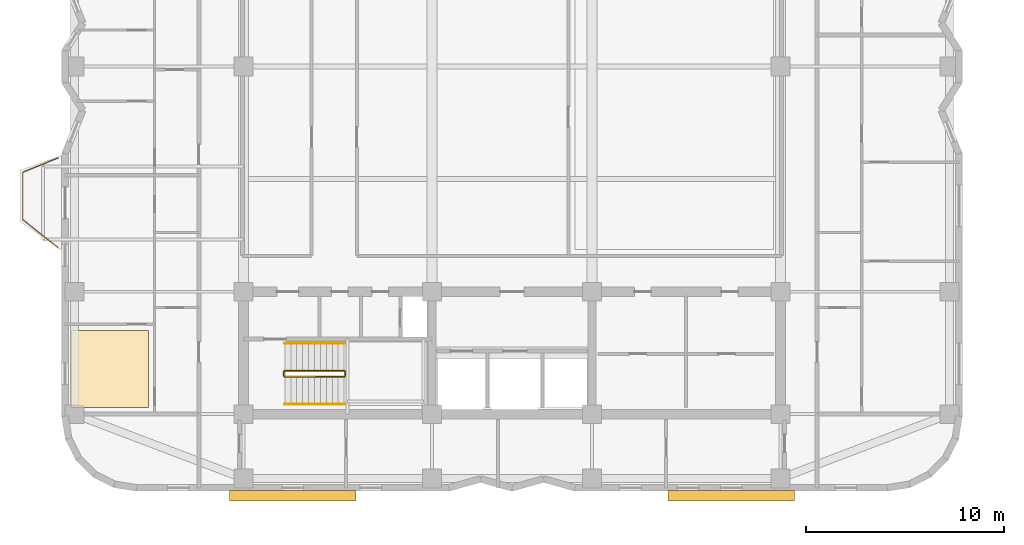
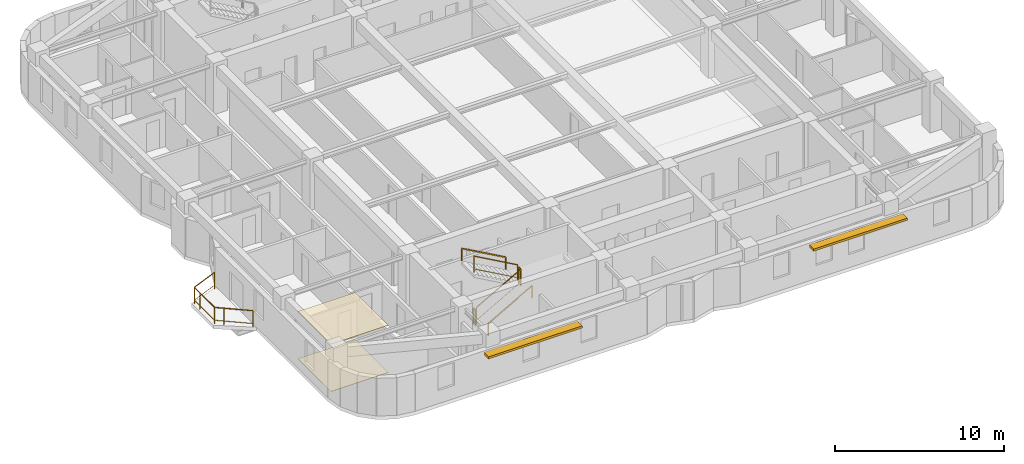
# One storey, part 8 of 9: 7 railings, 2 coverings, 2 shading devices.
"""IFC4 building model written with IfcOpenShell, lengths in metres."""

from ifc_helpers import new_model, si_unit, direction, frame, origin, origin_2d, place, context, subcontext, project, spatial, polyline, rectangle, outline, extrude, material, layer, layer_set, type_object, element, save


model = new_model("IFC4")

# Units and contexts
model_context = context("Model", 3, precision=1e-05, world=origin(), true_north=direction((0.0, 1.0)))
body_context = subcontext(model_context, "Body", "Model", "MODEL_VIEW")
ifc_project = project(units=[si_unit("LENGTHUNIT", "METRE"), si_unit("AREAUNIT", "SQUARE_METRE"), si_unit("VOLUMEUNIT", "CUBIC_METRE"), si_unit("PLANEANGLEUNIT", "RADIAN"), si_unit("MASSUNIT", "GRAM", prefix="KILO")], contexts=[model_context])

# Site, building, storey
site_placement = place(None, origin())
site = spatial("IfcSite", under=ifc_project, at=site_placement, CompositionType="ELEMENT")
building_placement = place(site_placement, origin())
building = spatial("IfcBuilding", under=site, at=building_placement, Name="Svetorya Sky Lyceum", CompositionType="ELEMENT")
storey_placement = place(building_placement, frame((0.0, 0.0, 155.199951171875)))
storey = spatial("IfcBuildingStorey", under=building, at=storey_placement, Name="L38", CompositionType="ELEMENT", Elevation=155.199951171875)

# Coverings
ifc_material_1 = material(Name="Fire-retardant birch acoustic slat ceiling")
ifc_layer_1 = layer(ifc_material_1, 0.031982421875)
ifc_layer_set_1 = layer_set([ifc_layer_1], Name="Fire-retardant birch acoustic slat ceiling")
covering_type_1 = type_object("IfcCoveringType", Name="COV-CLG-WD32", PredefinedType="CEILING", material=ifc_layer_set_1)
covering_1_placement = place(storey_placement, frame((0.0, 0.0, 3.407958984375)))
element("IfcCovering", 1, at=covering_1_placement, inside=storey, type_object=covering_type_1, Name="Apartment W1 Living Room Acoustic Ceiling", PredefinedType="CEILING", context=body_context, shape_type="SweptSolid", body=[
    extrude(outline(polyline([(16.8701171875, 10.929931640625), (20.7900390625, 10.929931640625), (20.7900390625, 14.840087890625), (16.8701171875, 14.840087890625), (16.8701171875, 10.929931640625)])), origin(), (0.0, 0.0, 1.0), 0.031982421875),
])
ifc_material_2 = material(Name="Vitrified porcelain slip-resistant tile flooring")
ifc_layer_2 = layer(ifc_material_2, 0.02587890625)
ifc_layer_set_2 = layer_set([ifc_layer_2], Name="Vitrified porcelain slip-resistant tile flooring")
covering_type_2 = type_object("IfcCoveringType", Name="COV-FLR-POR26", PredefinedType="FLOORING", material=ifc_layer_set_2)
covering_2_placement = place(storey_placement, origin())
element("IfcCovering", 2, at=covering_2_placement, inside=storey, type_object=covering_type_2, Name="Apartment W1 Living Room Architectural Flooring", PredefinedType="FLOORING", context=body_context, shape_type="SweptSolid", body=[
    extrude(outline(polyline([(16.8701171875, 10.929931640625), (20.7900390625, 10.929931640625), (20.7900390625, 14.840087890625), (16.8701171875, 14.840087890625), (16.8701171875, 10.929931640625)])), origin(), (0.0, 0.0, 1.0), 0.026123046875),
])

# Railings
ifc_material_3 = material(Name="Laminated safety glass and stainless AISI 316", Category="glass")
railing_type_1 = type_object("IfcRailingType", Name="RL-BAL-1200", PredefinedType="BALUSTRADE", material=ifc_material_3)
railing_1_placement = place(storey_placement, frame((16.22998046875, 19.02001953125, 0.0)))
element("IfcRailing", 3, at=railing_1_placement, inside=storey, type_object=railing_type_1, Name="L38 Balcony Balustrade BAL-W1", PredefinedType="BALUSTRADE", context=body_context, shape_type="SweptSolid", body=[
    extrude(rectangle(XDim=0.048095703125, YDim=0.048095703125, at=origin_2d()), frame((0.0, 0.0, 1.17578125), z_axis=(-0.783008919264, 0.622010476079, 0.0), x_axis=(-0.622010476079, -0.783008919264, 0.0)), (0.0, 0.0, 1.0), 2.298828125),
    extrude(rectangle(XDim=0.02392578125, YDim=0.02392578125, at=origin_2d()), frame((0.0, 0.0, 0.25), z_axis=(-0.783008919264, 0.622010476079, 0.0), x_axis=(-0.622010476079, -0.783008919264, 0.0)), (0.0, 0.0, 1.0), 2.298828125),
    extrude(rectangle(XDim=0.048095703125, YDim=0.048095703125, at=origin_2d()), frame((-1.800048828125, 1.429931640625, 1.17578125), z_axis=(0.0, 1.0, 0.0), x_axis=(-1.0, 0.0, 0.0)), (0.0, 0.0, 1.0), 2.400146484375),
    extrude(rectangle(XDim=0.02392578125, YDim=0.02392578125, at=origin_2d()), frame((-1.800048828125, 1.429931640625, 0.25), z_axis=(0.0, 1.0, 0.0), x_axis=(-1.0, 0.0, 0.0)), (0.0, 0.0, 1.0), 2.400146484375),
    extrude(rectangle(XDim=0.048095703125, YDim=0.048095703125, at=origin_2d()), frame((-1.800048828125, 3.830078125, 1.17578125), z_axis=(0.926697865975, 0.375807218129, 0.0), x_axis=(-0.375807218129, 0.926697865975, 0.0)), (0.0, 0.0, 1.0), 1.9423828125),
    extrude(rectangle(XDim=0.02392578125, YDim=0.02392578125, at=origin_2d()), frame((-1.800048828125, 3.830078125, 0.25), z_axis=(0.926697865975, 0.375807218129, 0.0), x_axis=(-0.375807218129, 0.926697865975, 0.0)), (0.0, 0.0, 1.0), 1.9423828125),
    extrude(rectangle(XDim=0.0419921875, YDim=0.0419921875, at=origin_2d()), origin(), (0.0, 0.0, 1.0), 1.15185546875),
    extrude(rectangle(XDim=0.0419921875, YDim=0.0419921875, at=origin_2d()), frame((-1.370361328125, 1.088623046875, 0.0)), (0.0, 0.0, 1.0), 1.15185546875),
    extrude(rectangle(XDim=0.0419921875, YDim=0.0419921875, at=origin_2d()), frame((-1.800048828125, 1.429931640625, 0.0)), (0.0, 0.0, 1.0), 1.15185546875),
    extrude(rectangle(XDim=0.0419921875, YDim=0.0419921875, at=origin_2d()), frame((-1.800048828125, 3.179931640625, 0.0)), (0.0, 0.0, 1.0), 1.15185546875),
    extrude(rectangle(XDim=0.0419921875, YDim=0.0419921875, at=origin_2d()), frame((-1.800048828125, 3.830078125, 0.0)), (0.0, 0.0, 1.0), 1.15185546875),
    extrude(rectangle(XDim=0.0419921875, YDim=0.0419921875, at=origin_2d()), frame((0.0, 4.56005859375, 0.0)), (0.0, 0.0, 1.0), 1.15185546875),
])
ifc_material_4 = material(Name="Painted galvanized stair well guard")
railing_type_2 = type_object("IfcRailingType", Name="RL-STR-GUARD-1200", PredefinedType="GUARDRAIL", material=ifc_material_4)
railing_2_placement = place(storey_placement, frame((27.699951171875, 12.5, 0.168212890625)))
element("IfcRailing", 4, at=railing_2_placement, inside=storey, type_object=railing_type_2, Name="L38 ST-S stair guard 1", PredefinedType="GUARDRAIL", context=body_context, shape_type="SweptSolid", body=[
    extrude(rectangle(XDim=0.048095703125, YDim=0.048095703125, at=origin_2d()), frame((0.0, 0.0, 1.17578125), z_axis=(0.872272294576, 0.0, 0.489020494575), x_axis=(0.0, 1.0, 0.0)), (0.0, 0.0, 1.0), 3.439208984375),
    extrude(rectangle(XDim=0.02392578125, YDim=0.02392578125, at=origin_2d()), frame((0.0, 0.0, 0.25), z_axis=(0.872272294576, 0.0, 0.489020494575), x_axis=(0.0, 1.0, 0.0)), (0.0, 0.0, 1.0), 3.439208984375),
    extrude(rectangle(XDim=0.0419921875, YDim=0.0419921875, at=origin_2d()), origin(), (0.0, 0.0, 1.0), 1.15185546875),
    extrude(rectangle(XDim=0.0419921875, YDim=0.0419921875, at=origin_2d()), frame((3.0, 0.0, 1.681884765625)), (0.0, 0.0, 1.0), 1.15185546875),
])
railing_3_placement = place(storey_placement, frame((30.75, 12.550048828125, 1.85009765625)))
element("IfcRailing", 5, at=railing_3_placement, inside=storey, type_object=railing_type_2, Name="L38 ST-S stair guard 2", PredefinedType="GUARDRAIL", context=body_context, shape_type="SweptSolid", body=[
    extrude(rectangle(XDim=0.048095703125, YDim=0.048095703125, at=origin_2d()), frame((0.0, 0.0, 1.17578125), z_axis=(0.0, 1.0, 0.0), x_axis=(-1.0, 0.0, 0.0)), (0.0, 0.0, 1.0), 0.199951171875),
    extrude(rectangle(XDim=0.02392578125, YDim=0.02392578125, at=origin_2d()), frame((0.0, 0.0, 0.25), z_axis=(0.0, 1.0, 0.0), x_axis=(-1.0, 0.0, 0.0)), (0.0, 0.0, 1.0), 0.199951171875),
    extrude(rectangle(XDim=0.0419921875, YDim=0.0419921875, at=origin_2d()), origin(), (0.0, 0.0, 1.0), 1.15185546875),
    extrude(rectangle(XDim=0.0419921875, YDim=0.0419921875, at=origin_2d()), frame((0.0, 0.199951171875, 0.0)), (0.0, 0.0, 1.0), 1.15185546875),
])
railing_4_placement = place(storey_placement, frame((30.699951171875, 12.800048828125, 2.018310546875)))
element("IfcRailing", 6, at=railing_4_placement, inside=storey, type_object=railing_type_2, Name="L38 ST-S stair guard 3", PredefinedType="GUARDRAIL", context=body_context, shape_type="SweptSolid", body=[
    extrude(rectangle(XDim=0.048095703125, YDim=0.048095703125, at=origin_2d()), frame((0.0, 0.0, 1.17578125), z_axis=(-0.872302573547, 0.0, 0.488966481656), x_axis=(0.0, -1.0, 0.0)), (0.0, 0.0, 1.0), 3.439208984375),
    extrude(rectangle(XDim=0.02392578125, YDim=0.02392578125, at=origin_2d()), frame((0.0, 0.0, 0.25), z_axis=(-0.872302573547, 0.0, 0.488966481656), x_axis=(0.0, -1.0, 0.0)), (0.0, 0.0, 1.0), 3.439208984375),
    extrude(rectangle(XDim=0.0419921875, YDim=0.0419921875, at=origin_2d()), origin(), (0.0, 0.0, 1.0), 1.15185546875),
    extrude(rectangle(XDim=0.0419921875, YDim=0.0419921875, at=origin_2d()), frame((-3.0, 0.0, 1.681640625)), (0.0, 0.0, 1.0), 1.15185546875),
])
railing_5_placement = place(storey_placement, frame((27.64990234375, 12.550048828125, 0.0)))
element("IfcRailing", 7, at=railing_5_placement, inside=storey, type_object=railing_type_2, Name="L38 ST-S stair guard 4", PredefinedType="GUARDRAIL", context=body_context, shape_type="SweptSolid", body=[
    extrude(rectangle(XDim=0.048095703125, YDim=0.048095703125, at=origin_2d()), frame((0.0, 0.0, 1.17578125), z_axis=(0.0, 1.0, 0.0), x_axis=(-1.0, 0.0, 0.0)), (0.0, 0.0, 1.0), 0.199951171875),
    extrude(rectangle(XDim=0.02392578125, YDim=0.02392578125, at=origin_2d()), frame((0.0, 0.0, 0.25), z_axis=(0.0, 1.0, 0.0), x_axis=(-1.0, 0.0, 0.0)), (0.0, 0.0, 1.0), 0.199951171875),
    extrude(rectangle(XDim=0.0419921875, YDim=0.0419921875, at=origin_2d()), origin(), (0.0, 0.0, 1.0), 1.15185546875),
    extrude(rectangle(XDim=0.0419921875, YDim=0.0419921875, at=origin_2d()), frame((0.0, 0.199951171875, 0.0)), (0.0, 0.0, 1.0), 1.15185546875),
])
ifc_material_5 = material(Name="Brushed stainless AISI 304 stair handrail")
railing_type_3 = type_object("IfcRailingType", Name="RL-STR-HAND-920", PredefinedType="HANDRAIL", material=ifc_material_5)
railing_6_placement = place(storey_placement, frame((27.699951171875, 11.10009765625, 0.168212890625)))
element("IfcRailing", 8, at=railing_6_placement, inside=storey, type_object=railing_type_3, Name="L38 ST-S stair handrail 1", PredefinedType="HANDRAIL", context=body_context, shape_type="SweptSolid", body=[
    extrude(rectangle(XDim=0.048095703125, YDim=0.048095703125, at=origin_2d()), frame((0.0, 0.0, 0.8759765625), z_axis=(0.872272294576, 0.0, 0.489020494575), x_axis=(0.0, 1.0, 0.0)), (0.0, 0.0, 1.0), 3.439208984375),
    extrude(rectangle(XDim=0.0419921875, YDim=0.0419921875, at=origin_2d()), origin(), (0.0, 0.0, 1.0), 0.851806640625),
    extrude(rectangle(XDim=0.0419921875, YDim=0.0419921875, at=origin_2d()), frame((3.0, 0.0, 1.681884765625)), (0.0, 0.0, 1.0), 0.851806640625),
])
railing_7_placement = place(storey_placement, frame((30.699951171875, 14.199951171875, 2.018310546875)))
element("IfcRailing", 9, at=railing_7_placement, inside=storey, type_object=railing_type_3, Name="L38 ST-S stair handrail 2", PredefinedType="HANDRAIL", context=body_context, shape_type="SweptSolid", body=[
    extrude(rectangle(XDim=0.048095703125, YDim=0.048095703125, at=origin_2d()), frame((0.0, 0.0, 0.8759765625), z_axis=(-0.872302573547, 0.0, 0.488966481656), x_axis=(0.0, -1.0, 0.0)), (0.0, 0.0, 1.0), 3.439208984375),
    extrude(rectangle(XDim=0.0419921875, YDim=0.0419921875, at=origin_2d()), origin(), (0.0, 0.0, 1.0), 0.851806640625),
    extrude(rectangle(XDim=0.0419921875, YDim=0.0419921875, at=origin_2d()), frame((-3.0, 0.0, 1.681640625)), (0.0, 0.0, 1.0), 0.851806640625),
])

# Shading devices
ifc_material_6 = material(Name="Champagne-anodized extruded aluminium sunshade", Category="aluminium")
ifc_layer_3 = layer(ifc_material_6, 0.159912109375)
ifc_layer_set_3 = layer_set([ifc_layer_3], Name="Champagne-anodized extruded aluminium sunshade")
shading_device_type = type_object("IfcShadingDeviceType", Name="SHD-LVR-540", PredefinedType="AWNING", material=ifc_layer_set_3)
for number, where, z_axis, x_axis, name in (
    (10, (28.10009765625, 6.47998046875, 2.419921875), (0.0, 0.0, 1.0), (1.0, 0.0, 0.0), "L38 Solar Brise-Soleil SHD-1.6M"),
    (11, (50.300048828125, 6.47998046875, 2.419921875), (0.0, 0.0, 1.0), (1.0, 0.0, 0.0), "L38 Solar Brise-Soleil SHD-1.11M"),
):
    element("IfcShadingDevice", number, at=place(storey_placement, frame(where, z_axis=z_axis, x_axis=x_axis)), inside=storey, type_object=shading_device_type, Name=name, PredefinedType="AWNING", context=body_context, shape_type="SweptSolid", body=[
        extrude(rectangle(XDim=6.39990234375, YDim=0.5400390625, at=origin_2d()), origin(), (0.0, 0.0, 1.0), 0.159912109375),
    ])

save(model, "model.ifc")
